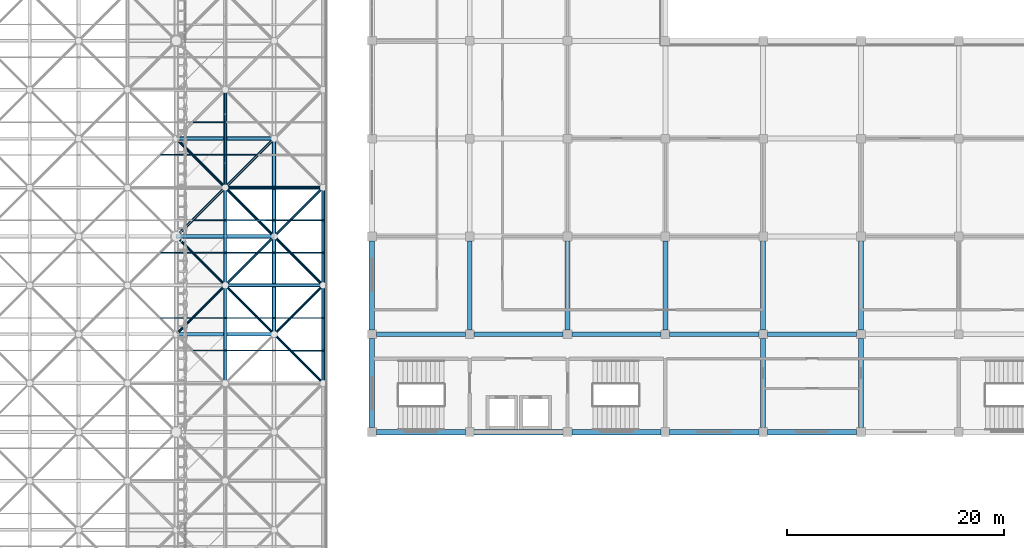
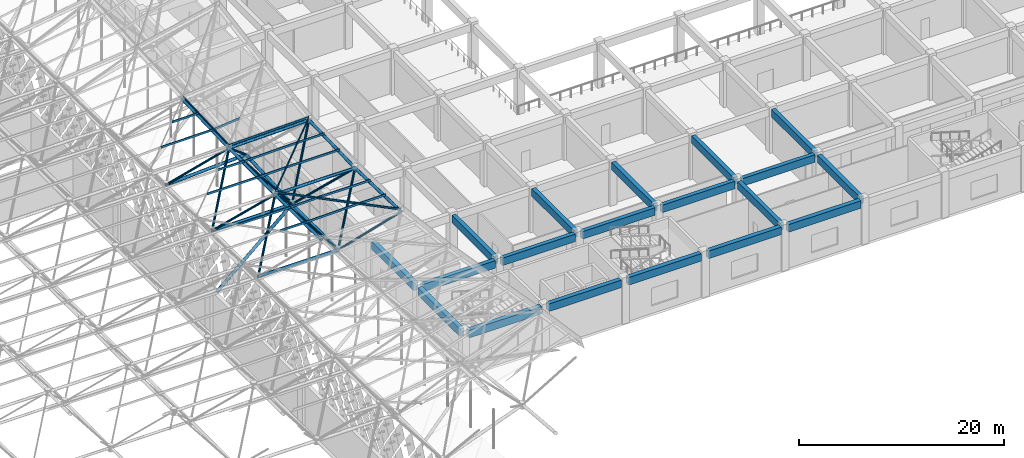
# One storey, part 198 of 437: 44 members, 19 beams.
"""IFC4 building model written with IfcOpenShell, lengths in metres."""

import ifcopenshell
import ifcopenshell.guid

model = None  # the IFC model being written
_history = None  # IfcOwnerHistory: only IFC2X3 demands one
_inside = {}  # id of a spatial element -> (the spatial element, [elements in it])
_under = {}  # id of a project, library or spatial element -> (it, [spatial elements below it])
_declared = {}  # id of a project -> (the project, [libraries it declares])
_typed = {}  # id of a type object -> (the type object, [elements of that type])
_made_of = {}  # id of a material, layer set ... -> (it, [elements and type objects made of it])


def new_model(schema):
    """Start an empty IFC model of exactly this schema.

    Asked for "IFC4X3", IfcOpenShell would pick the latest addendum, in which some entities
    have other attributes; the version numbers below select the first issue.
    IFC2X3 requires an IfcOwnerHistory on every rooted entity: one is made here for all.
    """
    global model, _history
    if schema == "IFC4X3":
        model = ifcopenshell.file(schema_version=(4, 3, 0, 0))
    else:
        model = ifcopenshell.file(schema=schema)
    _inside.clear()
    _under.clear()
    _declared.clear()
    _typed.clear()
    _made_of.clear()
    _history = None
    if model.schema == "IFC2X3":
        org = make("IfcOrganization", Name="unknown")
        user = make(
            "IfcPersonAndOrganization",
            ThePerson=make("IfcPerson", FamilyName="unknown"),
            TheOrganization=org,
        )
        app = make(
            "IfcApplication",
            ApplicationDeveloper=org,
            Version="unknown",
            ApplicationFullName="unknown",
            ApplicationIdentifier="unknown",
        )
        _history = make(
            "IfcOwnerHistory",
            OwningUser=user,
            OwningApplication=app,
            ChangeAction="ADDED",
            CreationDate=0,
        )
    return model


def make(cls, **values):
    """One entity of the class cls with the attributes given. An attribute that is None is left unset."""
    return model.create_entity(
        cls, **{name: value for name, value in values.items() if value is not None}
    )


def rooted(cls, **values):
    """An entity with a GlobalId (a new one), such as an element, a storey or a relation."""
    return make(cls, GlobalId=ifcopenshell.guid.new(), OwnerHistory=_history, **values)


def si_unit(unit_type, name, prefix=None):
    """IfcSIUnit, for example si_unit("LENGTHUNIT", "METRE", prefix="MILLI")."""
    return make("IfcSIUnit", UnitType=unit_type, Prefix=prefix, Name=name)


def assignment(units):
    """IfcUnitAssignment: the units of a project."""
    return None if units is None else make("IfcUnitAssignment", Units=units)


def point(xyz):
    """IfcCartesianPoint."""
    return None if xyz is None else make("IfcCartesianPoint", Coordinates=xyz)


def direction(xyz):
    """IfcDirection."""
    return None if xyz is None else make("IfcDirection", DirectionRatios=xyz)


def frame(location, z_axis=None, x_axis=None):
    """IfcAxis2Placement3D, a coordinate frame: its origin and axes. An axis left out is left unset."""
    return make(
        "IfcAxis2Placement3D",
        Location=point(location),
        Axis=direction(z_axis),
        RefDirection=direction(x_axis),
    )


def frame_2d(location, x_axis=None):
    """IfcAxis2Placement2D, a coordinate frame in the plane: its origin and x axis."""
    return make(
        "IfcAxis2Placement2D", Location=point(location), RefDirection=direction(x_axis)
    )


def origin():
    """The frame at (0, 0, 0) with its axes left unset."""
    return frame((0.0, 0.0, 0.0))


def origin_2d():
    """The frame at (0, 0) in the plane with its x axis left unset."""
    return frame_2d((0.0, 0.0))


def place(relative_to, where):
    """IfcLocalPlacement: puts the frame where relative to a parent placement (None: the world)."""
    return make(
        "IfcLocalPlacement", PlacementRelTo=relative_to, RelativePlacement=where
    )


def context(
    kind, dimensions, precision=None, world=None, true_north=None, identifier=None
):
    """IfcGeometricRepresentationContext, for example the 3D "Model" context."""
    return make(
        "IfcGeometricRepresentationContext",
        ContextIdentifier=identifier,
        ContextType=kind,
        CoordinateSpaceDimension=dimensions,
        Precision=precision,
        WorldCoordinateSystem=world,
        TrueNorth=true_north,
    )


def subcontext(parent, identifier, kind, view, scale=None):
    """IfcGeometricRepresentationSubContext, for example "Body" below "Model"."""
    return make(
        "IfcGeometricRepresentationSubContext",
        ContextIdentifier=identifier,
        ContextType=kind,
        ParentContext=parent,
        TargetScale=scale,
        TargetView=view,
    )


def project(units=None, contexts=None):
    """IfcProject with its units and contexts."""
    return rooted(
        "IfcProject",
        Name="project",
        RepresentationContexts=contexts,
        UnitsInContext=assignment(units),
    )


def spatial(cls, under=None, at=None, **own):
    """A site, building, storey or space (cls), placed at a placement, below another one or the project."""
    s = rooted(cls, ObjectPlacement=at, **own)
    if under is not None:
        _under.setdefault(under.id(), (under, []))[1].append(s)
    return s


def polyline(points):
    """IfcPolyline through the points."""
    return make("IfcPolyline", Points=[point(p) for p in points])


def profile(cls, at=None, kind="AREA", **sizes):
    """A parametric profile (cls). Its sizes go by their IFC names, for example OverallWidth=200.0."""
    return make(cls, ProfileType=kind, Position=at, **sizes)


def rectangle(**sizes):
    """IfcRectangleProfileDef."""
    return profile("IfcRectangleProfileDef", **sizes)


def hollow_circle(**sizes):
    """IfcCircleHollowProfileDef."""
    return profile("IfcCircleHollowProfileDef", **sizes)


def outline(outer, holes=None, kind="AREA"):
    """IfcArbitraryClosedProfileDef: a profile drawn as a closed curve; with holes, ...WithVoids."""
    if holes is None:
        return make("IfcArbitraryClosedProfileDef", ProfileType=kind, OuterCurve=outer)
    return make(
        "IfcArbitraryProfileDefWithVoids",
        ProfileType=kind,
        OuterCurve=outer,
        InnerCurves=holes,
    )


def extrude(swept, where, along, depth):
    """IfcExtrudedAreaSolid: the profile swept, set in the frame where, extruded along a direction by depth."""
    return make(
        "IfcExtrudedAreaSolid",
        SweptArea=swept,
        Position=where,
        ExtrudedDirection=direction(along),
        Depth=depth,
    )


def shape(context_of_items, identifier, shape_type, items):
    """IfcShapeRepresentation: the items that make up one representation, for example the "Body"."""
    return make(
        "IfcShapeRepresentation",
        ContextOfItems=context_of_items,
        RepresentationIdentifier=identifier,
        RepresentationType=shape_type,
        Items=items,
    )


def material(Name=None, Category=None):
    """IfcMaterial."""
    return make("IfcMaterial", Name=Name, Category=Category)


def material_profile(
    of_material, cross_section, Name=None, Category=None, Priority=None
):
    """IfcMaterialProfile: a cross section and its material."""
    return make(
        "IfcMaterialProfile",
        Name=Name,
        Material=of_material,
        Profile=cross_section,
        Priority=Priority,
        Category=Category,
    )


def profile_set(profiles, Name=None, composite=None):
    """IfcMaterialProfileSet."""
    return make(
        "IfcMaterialProfileSet",
        Name=Name,
        MaterialProfiles=profiles,
        CompositeProfile=composite,
    )


def made_of(thing, what):
    """Note that an element or type object is made of a material, layer set ...; save() writes the relation."""
    if what is not None:
        _made_of.setdefault(what.id(), (what, []))[1].append(thing)
    return thing


def type_object(cls, material=None, **own):
    """A type object (cls), such as IfcWallType, which elements share."""
    return made_of(rooted(cls, **own), material)


def element(
    cls,
    number,
    at=None,
    inside=None,
    cuts=None,
    type_object=None,
    material=None,
    context=None,
    identifier="Body",
    shape_type=None,
    held_by="IfcProductDefinitionShape",
    body=None,
    shapes=None,
    **own,
):
    """One element of the class cls, such as IfcWall. Its Tag is "e" and its number.

    at: its placement. inside: the storey or other place that contains it. cuts: it is an
    opening in that element (IfcRelVoidsElement). A single representation is given by context,
    identifier, shape_type and body (its items); several are given by shapes. held_by: the class
    of the entity that holds the representations. save() writes the other relations.
    """
    e = rooted(cls, Tag="e%d" % number, ObjectPlacement=at, **own)
    if body is not None:
        shapes = [shape(context, identifier, shape_type, body)]
    if shapes is not None:
        e.Representation = make(held_by, Representations=shapes)
    if inside is not None:
        _inside.setdefault(inside.id(), (inside, []))[1].append(e)
    if cuts is not None:
        rooted(
            "IfcRelVoidsElement", RelatingBuildingElement=cuts, RelatedOpeningElement=e
        )
    if type_object is not None:
        _typed.setdefault(type_object.id(), (type_object, []))[1].append(e)
    return made_of(e, material)


def aggregate(whole, parts):
    """IfcRelAggregates: a whole, such as a stair, and the parts it consists of."""
    return rooted("IfcRelAggregates", RelatingObject=whole, RelatedObjects=parts)


def save(model, path):
    """Write the relations noted so far, then the file.

    IfcRelAggregates (storeys below a building ...), IfcRelContainedInSpatialStructure (elements
    in a storey), IfcRelDefinesByType, IfcRelAssociatesMaterial and IfcRelDeclares: one each for
    every whole, place, type object, material and project.
    """
    for whole, parts in _under.values():
        aggregate(whole, parts)
    for where, things in _inside.values():
        rooted(
            "IfcRelContainedInSpatialStructure",
            RelatedElements=things,
            RelatingStructure=where,
        )
    for kind, things in _typed.values():
        rooted("IfcRelDefinesByType", RelatedObjects=things, RelatingType=kind)
    for what, things in _made_of.values():
        rooted("IfcRelAssociatesMaterial", RelatedObjects=things, RelatingMaterial=what)
    for by, libraries in _declared.values():
        rooted("IfcRelDeclares", RelatingContext=by, RelatedDefinitions=libraries)
    model.write(path)


model = new_model("IFC4")

# Units and contexts
model_context = context("Model", 3, precision=1e-05, world=origin(), true_north=direction((0.0, 1.0)))
body_context = subcontext(model_context, "Body", "Model", "MODEL_VIEW")
ifc_project = project(units=[si_unit("LENGTHUNIT", "METRE"), si_unit("AREAUNIT", "SQUARE_METRE"), si_unit("VOLUMEUNIT", "CUBIC_METRE"), si_unit("PLANEANGLEUNIT", "RADIAN"), si_unit("MASSUNIT", "GRAM", prefix="KILO")], contexts=[model_context])

# Site, building, storey
site_placement = place(None, origin())
site = spatial("IfcSite", under=ifc_project, at=site_placement, CompositionType="ELEMENT")
building_placement = place(site_placement, origin())
building = spatial("IfcBuilding", under=site, at=building_placement, Name="Opaline Strait Convention Centre", CompositionType="ELEMENT")
storey_placement = place(building_placement, frame((0.0, 0.0, 11.5)))
storey = spatial("IfcBuildingStorey", under=building, at=storey_placement, Name="L02", CompositionType="ELEMENT", Elevation=11.5)

# Beams
ifc_material_1 = material(Name="Concrete C35", Category="concrete")
ifc_material_profile_1 = material_profile(ifc_material_1, rectangle(XDim=0.449951171875, YDim=0.89990234375, at=origin_2d()), Name="RC 450x900")
ifc_profile_set_1 = profile_set([ifc_material_profile_1], Name="Concrete C35")
beam_type_1 = type_object("IfcBeamType", Name="RC beam 450x900 C35", PredefinedType="BEAM", material=ifc_profile_set_1)
for number, where, z_axis, x_axis, name in (
    (1, (279.39990234375, 99.0, 4.77001953125), (1.0, 0.0, 0.0), (0.0, 1.0, 0.0), "XB1 L02 32/M-33/M"),
    (2, (288.39990234375, 99.0, 4.77001953125), (1.0, 0.0, 0.0), (0.0, 1.0, 0.0), "XB1 L02 33/M-34/M"),
    (3, (297.39990234375, 99.0, 4.77001953125), (1.0, 0.0, 0.0), (0.0, 1.0, 0.0), "XB1 L02 34/M-35/M"),
    (4, (306.39990234375, 99.0, 4.77001953125), (1.0, 0.0, 0.0), (0.0, 1.0, 0.0), "XB1 L02 35/M-36/M"),
    (5, (315.39990234375, 99.0, 4.77001953125), (1.0, 0.0, 0.0), (0.0, 1.0, 0.0), "XB1 L02 36/M-37/M"),
    (6, (288.0, 99.39990234375, 4.77001953125), (0.0, 1.0, 0.0), (-1.0, 0.0, 0.0), "XB1 L02 33/M-33/N"),
    (7, (297.0, 99.39990234375, 4.77001953125), (0.0, 1.0, 0.0), (-1.0, 0.0, 0.0), "XB1 L02 34/M-34/N"),
    (8, (306.0, 99.39990234375, 4.77001953125), (0.0, 1.0, 0.0), (-1.0, 0.0, 0.0), "XB1 L02 35/M-35/N"),
    (9, (315.0, 90.39990234375, 4.77001953125), (0.0, 1.0, 0.0), (-1.0, 0.0, 0.0), "XB1 L02 36/L-36/M"),
    (10, (315.0, 99.39990234375, 4.77001953125), (0.0, 1.0, 0.0), (-1.0, 0.0, 0.0), "XB1 L02 36/M-36/N"),
    (11, (324.0, 90.39990234375, 4.77001953125), (0.0, 1.0, 0.0), (-1.0, 0.0, 0.0), "XB1 L02 37/L-37/M"),
    (12, (324.0, 99.39990234375, 4.77001953125), (0.0, 1.0, 0.0), (-1.0, 0.0, 0.0), "XB1 L02 37/M-37/N"),
):
    element("IfcBeam", number, at=place(storey_placement, frame(where, z_axis=z_axis, x_axis=x_axis)), inside=storey, type_object=beam_type_1, Name=name, PredefinedType="BEAM", context=body_context, shape_type="SweptSolid", body=[
        extrude(rectangle(XDim=0.449951171875, YDim=0.89990234375, at=origin_2d()), origin(), (0.0, 0.0, 1.0), 8.2001953125),
    ])
ifc_material_profile_2 = material_profile(ifc_material_1, rectangle(XDim=0.5, YDim=0.89990234375, at=origin_2d()), Name="RC 500x900")
ifc_profile_set_2 = profile_set([ifc_material_profile_2], Name="Concrete C35")
beam_type_2 = type_object("IfcBeamType", Name="RC edge beam 500x900 C35", PredefinedType="BEAM", material=ifc_profile_set_2)
for number, where, z_axis, x_axis, name in (
    (13, (279.39990234375, 90.0, 4.77001953125), (1.0, 0.0, 0.0), (0.0, 1.0, 0.0), "MRB2 L02 32/L-33/L"),
    (14, (288.39990234375, 90.0, 4.77001953125), (1.0, 0.0, 0.0), (0.0, 1.0, 0.0), "MRB2 L02 33/L-34/L"),
    (15, (297.39990234375, 90.0, 4.77001953125), (1.0, 0.0, 0.0), (0.0, 1.0, 0.0), "MRB2 L02 34/L-35/L"),
    (16, (306.39990234375, 90.0, 4.77001953125), (1.0, 0.0, 0.0), (0.0, 1.0, 0.0), "MRB2 L02 35/L-36/L"),
    (17, (315.39990234375, 90.0, 4.77001953125), (1.0, 0.0, 0.0), (0.0, 1.0, 0.0), "MRB2 L02 36/L-37/L"),
    (18, (279.0, 90.39990234375, 4.77001953125), (0.0, 1.0, 0.0), (-1.0, 0.0, 0.0), "MRB2 L02 32/L-32/M"),
    (19, (279.0, 99.39990234375, 4.77001953125), (0.0, 1.0, 0.0), (-1.0, 0.0, 0.0), "MRB2 L02 32/M-32/N"),
):
    element("IfcBeam", number, at=place(storey_placement, frame(where, z_axis=z_axis, x_axis=x_axis)), inside=storey, type_object=beam_type_2, Name=name, PredefinedType="BEAM", context=body_context, shape_type="SweptSolid", body=[
        extrude(rectangle(XDim=0.5, YDim=0.89990234375, at=origin_2d()), origin(), (0.0, 0.0, 1.0), 8.2001953125),
    ])

# Members
ifc_material_2 = material(Name="Steel Q355B", Category="steel")
ifc_material_profile_3 = material_profile(ifc_material_2, hollow_circle(Radius=0.175537109375, WallThickness=0.01611328125, at=origin_2d()), Name="CHS 351x16")
ifc_profile_set_3 = profile_set([ifc_material_profile_3], Name="Steel Q355B")
member_type_1 = type_object("IfcMemberType", Name="Raking prop CHS 351x16", PredefinedType="BRACE", material=ifc_profile_set_3)
member_1_placement = place(storey_placement, frame((261.51611328125, 108.0, 5.01416015625), z_axis=(0.749441071414, 0.0, 0.662071053949), x_axis=(0.0, 1.0, 0.0)))
element("IfcMember", 20, at=member_1_placement, inside=storey, type_object=member_type_1, Name="Raking prop 261/108 E", PredefinedType="BRACE", context=body_context, shape_type="SweptSolid", body=[
    extrude(hollow_circle(Radius=0.175537109375, WallThickness=0.01611328125, at=origin_2d()), origin(), (0.0, 0.0, 1.0), 11.3701171875),
])
ifc_material_profile_4 = material_profile(ifc_material_2, outline(polyline([(-0.03759765625, -0.125), (0.03759765625, -0.125), (0.03759765625, -0.10498046875), (0.034912109375, -0.10498046875), (0.034912109375, -0.12255859375), (-0.034912109375, -0.12255859375), (-0.034912109375, 0.12255859375), (0.034912109375, 0.12255859375), (0.034912109375, 0.10498046875), (0.03759765625, 0.10498046875), (0.03759765625, 0.125), (-0.03759765625, 0.125), (-0.03759765625, -0.125)])), Name="C 250x75x20x2.5")
ifc_profile_set_4 = profile_set([ifc_material_profile_4], Name="Steel Q355B")
member_type_2 = type_object("IfcMemberType", Name="Roof purlin C 250x75x20x2.5", PredefinedType="PURLIN", material=ifc_profile_set_4)
member_2_placement = place(storey_placement, frame((262.550048828125, 97.5, 18.300537109375), z_axis=(1.0, 0.0, 0.0), x_axis=(0.0, 0.999973540706, -0.007274468163)))
element("IfcMember", 21, at=member_2_placement, inside=storey, type_object=member_type_2, Name="EXB-RF-P-19-6-0a", PredefinedType="PURLIN", context=body_context, shape_type="SweptSolid", body=[
    extrude(outline(polyline([(-0.03759765625, -0.125), (0.03759765625, -0.125), (0.03759765625, -0.10498046875), (0.034912109375, -0.10498046875), (0.034912109375, -0.12255859375), (-0.034912109375, -0.12255859375), (-0.034912109375, 0.12255859375), (0.034912109375, 0.12255859375), (0.034912109375, 0.10498046875), (0.03759765625, 0.10498046875), (0.03759765625, 0.125), (-0.03759765625, 0.125), (-0.03759765625, -0.125)])), origin(), (0.0, 0.0, 1.0), 2.949951171875),
])
member_3_placement = place(storey_placement, frame((259.550048828125, 100.5, 18.27880859375), z_axis=(1.0, 0.0, 0.0), x_axis=(0.0, 0.999973540706, -0.007274468163)))
element("IfcMember", 22, at=member_3_placement, inside=storey, type_object=member_type_2, Name="EXB-RF-P-19-6-1a", PredefinedType="PURLIN", context=body_context, shape_type="SweptSolid", body=[
    extrude(outline(polyline([(-0.03759765625, -0.125), (0.03759765625, -0.125), (0.03759765625, -0.10498046875), (0.034912109375, -0.10498046875), (0.034912109375, -0.12255859375), (-0.034912109375, -0.12255859375), (-0.034912109375, 0.12255859375), (0.034912109375, 0.12255859375), (0.034912109375, 0.10498046875), (0.03759765625, 0.10498046875), (0.03759765625, 0.125), (-0.03759765625, 0.125), (-0.03759765625, -0.125)])), origin(), (0.0, 0.0, 1.0), 5.949951171875),
])
member_4_placement = place(storey_placement, frame((274.5, 94.5, 18.508544921875), z_axis=(-0.706967474347, 0.706967474347, -0.01984894032), x_axis=(-0.706940201705, -0.707208676567, -0.009562374229)))
element("IfcMember", 23, at=member_4_placement, inside=storey, type_object=member_type_2, Name="EXB-RF-F-20-6", PredefinedType="PURLIN", context=body_context, shape_type="SweptSolid", body=[
    extrude(outline(polyline([(-0.03759765625, -0.125), (0.03759765625, -0.125), (0.03759765625, -0.10498046875), (0.034912109375, -0.10498046875), (0.034912109375, -0.12255859375), (-0.034912109375, -0.12255859375), (-0.034912109375, 0.12255859375), (0.034912109375, 0.12255859375), (0.034912109375, 0.10498046875), (0.03759765625, 0.10498046875), (0.03759765625, 0.125), (-0.03759765625, 0.125), (-0.03759765625, -0.125)])), origin(), (0.0, 0.0, 1.0), 12.73046875),
])
member_5_placement = place(storey_placement, frame((271.550048828125, 97.5, 18.425537109375), z_axis=(1.0, 0.0, 0.0), x_axis=(0.0, 0.999606059758, -0.028066444278)))
element("IfcMember", 24, at=member_5_placement, inside=storey, type_object=member_type_2, Name="EXB-RF-P-20-6-0a", PredefinedType="PURLIN", context=body_context, shape_type="SweptSolid", body=[
    extrude(outline(polyline([(-0.03759765625, -0.125), (0.03759765625, -0.125), (0.03759765625, -0.10498046875), (0.034912109375, -0.10498046875), (0.034912109375, -0.12255859375), (-0.034912109375, -0.12255859375), (-0.034912109375, 0.12255859375), (0.034912109375, 0.12255859375), (0.034912109375, 0.10498046875), (0.03759765625, 0.10498046875), (0.03759765625, 0.125), (-0.03759765625, 0.125), (-0.03759765625, -0.125)])), origin(), (0.0, 0.0, 1.0), 2.949951171875),
])
member_6_placement = place(storey_placement, frame((268.550048828125, 100.5, 18.34130859375), z_axis=(1.0, 0.0, 0.0), x_axis=(0.0, 0.999606059758, -0.028066444278)))
element("IfcMember", 25, at=member_6_placement, inside=storey, type_object=member_type_2, Name="EXB-RF-P-20-6-1a", PredefinedType="PURLIN", context=body_context, shape_type="SweptSolid", body=[
    extrude(outline(polyline([(-0.03759765625, -0.125), (0.03759765625, -0.125), (0.03759765625, -0.10498046875), (0.034912109375, -0.10498046875), (0.034912109375, -0.12255859375), (-0.034912109375, -0.12255859375), (-0.034912109375, 0.12255859375), (0.034912109375, 0.12255859375), (0.034912109375, 0.10498046875), (0.03759765625, 0.10498046875), (0.03759765625, 0.125), (-0.03759765625, 0.125), (-0.03759765625, -0.125)])), origin(), (0.0, 0.0, 1.0), 5.949951171875),
])
member_7_placement = place(storey_placement, frame((265.5, 97.5, 18.30078125), z_axis=(0.999783679197, 0.0, 0.020798913682), x_axis=(0.000151301035, 0.999973540706, -0.007272894544)))
element("IfcMember", 26, at=member_7_placement, inside=storey, type_object=member_type_2, Name="EXB-RF-P-20-6-0b", PredefinedType="PURLIN", context=body_context, shape_type="SweptSolid", body=[
    extrude(outline(polyline([(-0.03759765625, -0.125), (0.03759765625, -0.125), (0.03759765625, -0.10498046875), (0.034912109375, -0.10498046875), (0.034912109375, -0.12255859375), (-0.034912109375, -0.12255859375), (-0.034912109375, 0.12255859375), (0.034912109375, 0.12255859375), (0.034912109375, 0.10498046875), (0.03759765625, 0.10498046875), (0.03759765625, 0.125), (-0.03759765625, 0.125), (-0.03759765625, -0.125)])), origin(), (0.0, 0.0, 1.0), 5.951171875),
])
member_8_placement = place(storey_placement, frame((265.5, 100.5, 18.27880859375), z_axis=(0.999782589814, 0.0, 0.020851213493), x_axis=(0.000151681489, 0.999973540706, -0.007272886619)))
element("IfcMember", 27, at=member_8_placement, inside=storey, type_object=member_type_2, Name="EXB-RF-P-20-6-1b", PredefinedType="PURLIN", context=body_context, shape_type="SweptSolid", body=[
    extrude(outline(polyline([(-0.03759765625, -0.125), (0.03759765625, -0.125), (0.03759765625, -0.10498046875), (0.034912109375, -0.10498046875), (0.034912109375, -0.12255859375), (-0.034912109375, -0.12255859375), (-0.034912109375, 0.12255859375), (0.034912109375, 0.12255859375), (0.034912109375, 0.10498046875), (0.03759765625, 0.10498046875), (0.03759765625, 0.125), (-0.03759765625, 0.125), (-0.03759765625, -0.125)])), origin(), (0.0, 0.0, 1.0), 2.95068359375),
])
member_9_placement = place(storey_placement, frame((259.550048828125, 106.5, 18.27880859375), z_axis=(1.0, 0.0, 0.0), x_axis=(0.0, 0.999973540706, 0.007274468163)))
element("IfcMember", 28, at=member_9_placement, inside=storey, type_object=member_type_2, Name="EXB-RF-P-19-7-0a", PredefinedType="PURLIN", context=body_context, shape_type="SweptSolid", body=[
    extrude(outline(polyline([(-0.03759765625, -0.125), (0.03759765625, -0.125), (0.03759765625, -0.10498046875), (0.034912109375, -0.10498046875), (0.034912109375, -0.12255859375), (-0.034912109375, -0.12255859375), (-0.034912109375, 0.12255859375), (0.034912109375, 0.12255859375), (0.034912109375, 0.10498046875), (0.03759765625, 0.10498046875), (0.03759765625, 0.125), (-0.03759765625, 0.125), (-0.03759765625, -0.125)])), origin(), (0.0, 0.0, 1.0), 5.949951171875),
])
member_10_placement = place(storey_placement, frame((262.550048828125, 109.5, 18.300537109375), z_axis=(1.0, 0.0, 0.0), x_axis=(0.0, 0.999973540706, 0.007274468163)))
element("IfcMember", 29, at=member_10_placement, inside=storey, type_object=member_type_2, Name="EXB-RF-P-19-7-1a", PredefinedType="PURLIN", context=body_context, shape_type="SweptSolid", body=[
    extrude(outline(polyline([(-0.03759765625, -0.125), (0.03759765625, -0.125), (0.03759765625, -0.10498046875), (0.034912109375, -0.10498046875), (0.034912109375, -0.12255859375), (-0.034912109375, -0.12255859375), (-0.034912109375, 0.12255859375), (0.034912109375, 0.12255859375), (0.034912109375, 0.10498046875), (0.03759765625, 0.10498046875), (0.03759765625, 0.125), (-0.03759765625, 0.125), (-0.03759765625, -0.125)])), origin(), (0.0, 0.0, 1.0), 2.949951171875),
])
member_11_placement = place(storey_placement, frame((265.5, 103.5, 18.255859375), z_axis=(0.706967474347, 0.706967474347, 0.01984894032), x_axis=(-0.706940201705, 0.707208676567, -0.009562374229)))
element("IfcMember", 30, at=member_11_placement, inside=storey, type_object=member_type_2, Name="EXB-RF-F-20-7", PredefinedType="PURLIN", context=body_context, shape_type="SweptSolid", body=[
    extrude(outline(polyline([(-0.03759765625, -0.125), (0.03759765625, -0.125), (0.03759765625, -0.10498046875), (0.034912109375, -0.10498046875), (0.034912109375, -0.12255859375), (-0.034912109375, -0.12255859375), (-0.034912109375, 0.12255859375), (0.034912109375, 0.12255859375), (0.034912109375, 0.10498046875), (0.03759765625, 0.10498046875), (0.03759765625, 0.125), (-0.03759765625, 0.125), (-0.03759765625, -0.125)])), origin(), (0.0, 0.0, 1.0), 12.73046875),
])
member_12_placement = place(storey_placement, frame((268.550048828125, 106.5, 18.34130859375), z_axis=(1.0, 0.0, 0.0), x_axis=(0.0, 0.999606059758, 0.028066444278)))
element("IfcMember", 31, at=member_12_placement, inside=storey, type_object=member_type_2, Name="EXB-RF-P-20-7-0a", PredefinedType="PURLIN", context=body_context, shape_type="SweptSolid", body=[
    extrude(outline(polyline([(-0.03759765625, -0.125), (0.03759765625, -0.125), (0.03759765625, -0.10498046875), (0.034912109375, -0.10498046875), (0.034912109375, -0.12255859375), (-0.034912109375, -0.12255859375), (-0.034912109375, 0.12255859375), (0.034912109375, 0.12255859375), (0.034912109375, 0.10498046875), (0.03759765625, 0.10498046875), (0.03759765625, 0.125), (-0.03759765625, 0.125), (-0.03759765625, -0.125)])), origin(), (0.0, 0.0, 1.0), 5.949951171875),
])
member_13_placement = place(storey_placement, frame((271.550048828125, 109.5, 18.425537109375), z_axis=(1.0, 0.0, 0.0), x_axis=(0.0, 0.999606059758, 0.028066444278)))
element("IfcMember", 32, at=member_13_placement, inside=storey, type_object=member_type_2, Name="EXB-RF-P-20-7-1a", PredefinedType="PURLIN", context=body_context, shape_type="SweptSolid", body=[
    extrude(outline(polyline([(-0.03759765625, -0.125), (0.03759765625, -0.125), (0.03759765625, -0.10498046875), (0.034912109375, -0.10498046875), (0.034912109375, -0.12255859375), (-0.034912109375, -0.12255859375), (-0.034912109375, 0.12255859375), (0.034912109375, 0.12255859375), (0.034912109375, 0.10498046875), (0.03759765625, 0.10498046875), (0.03759765625, 0.125), (-0.03759765625, 0.125), (-0.03759765625, -0.125)])), origin(), (0.0, 0.0, 1.0), 2.949951171875),
])
member_14_placement = place(storey_placement, frame((265.5, 106.5, 18.27880859375), z_axis=(0.999782589814, 0.0, 0.020851213493), x_axis=(-0.000151681489, 0.999973540706, 0.007272886619)))
element("IfcMember", 33, at=member_14_placement, inside=storey, type_object=member_type_2, Name="EXB-RF-P-20-7-0b", PredefinedType="PURLIN", context=body_context, shape_type="SweptSolid", body=[
    extrude(outline(polyline([(-0.03759765625, -0.125), (0.03759765625, -0.125), (0.03759765625, -0.10498046875), (0.034912109375, -0.10498046875), (0.034912109375, -0.12255859375), (-0.034912109375, -0.12255859375), (-0.034912109375, 0.12255859375), (0.034912109375, 0.12255859375), (0.034912109375, 0.10498046875), (0.03759765625, 0.10498046875), (0.03759765625, 0.125), (-0.03759765625, 0.125), (-0.03759765625, -0.125)])), origin(), (0.0, 0.0, 1.0), 2.95068359375),
])
member_15_placement = place(storey_placement, frame((265.5, 109.5, 18.30078125), z_axis=(0.999783679197, 0.0, 0.020798913682), x_axis=(-0.000151301035, 0.999973540706, 0.007272894544)))
element("IfcMember", 34, at=member_15_placement, inside=storey, type_object=member_type_2, Name="EXB-RF-P-20-7-1b", PredefinedType="PURLIN", context=body_context, shape_type="SweptSolid", body=[
    extrude(outline(polyline([(-0.03759765625, -0.125), (0.03759765625, -0.125), (0.03759765625, -0.10498046875), (0.034912109375, -0.10498046875), (0.034912109375, -0.12255859375), (-0.034912109375, -0.12255859375), (-0.034912109375, 0.12255859375), (0.034912109375, 0.12255859375), (0.034912109375, 0.10498046875), (0.03759765625, 0.10498046875), (0.03759765625, 0.125), (-0.03759765625, 0.125), (-0.03759765625, -0.125)])), origin(), (0.0, 0.0, 1.0), 5.951171875),
])
member_16_placement = place(storey_placement, frame((259.550048828125, 115.5, 18.391357421875), z_axis=(0.999973627418, 0.0, 0.007262538757), x_axis=(-0.000271269093, 0.999302177023, 0.037350842157)))
element("IfcMember", 35, at=member_16_placement, inside=storey, type_object=member_type_2, Name="EXB-RF-P-19-8-0a", PredefinedType="PURLIN", context=body_context, shape_type="SweptSolid", body=[
    extrude(outline(polyline([(-0.03759765625, -0.125), (0.03759765625, -0.125), (0.03759765625, -0.10498046875), (0.034912109375, -0.10498046875), (0.034912109375, -0.12255859375), (-0.034912109375, -0.12255859375), (-0.034912109375, 0.12255859375), (0.034912109375, 0.12255859375), (0.034912109375, 0.10498046875), (0.03759765625, 0.10498046875), (0.03759765625, 0.125), (-0.03759765625, 0.125), (-0.03759765625, -0.125)])), origin(), (0.0, 0.0, 1.0), 5.9501953125),
])
member_17_placement = place(storey_placement, frame((262.550048828125, 118.5, 18.525390625), z_axis=(0.999973480305, 0.0, 0.007282766388), x_axis=(-0.000272024632, 0.999302177023, 0.037350836662)))
element("IfcMember", 36, at=member_17_placement, inside=storey, type_object=member_type_2, Name="EXB-RF-P-19-8-1a", PredefinedType="PURLIN", context=body_context, shape_type="SweptSolid", body=[
    extrude(outline(polyline([(-0.03759765625, -0.125), (0.03759765625, -0.125), (0.03759765625, -0.10498046875), (0.034912109375, -0.10498046875), (0.034912109375, -0.12255859375), (-0.034912109375, -0.12255859375), (-0.034912109375, 0.12255859375), (0.034912109375, 0.12255859375), (0.034912109375, 0.10498046875), (0.03759765625, 0.10498046875), (0.03759765625, 0.125), (-0.03759765625, 0.125), (-0.03759765625, -0.125)])), origin(), (0.0, 0.0, 1.0), 2.949951171875),
])
member_18_placement = place(storey_placement, frame((265.449951171875, 112.554443359375, 18.328369140625), z_axis=(0.999783916988, 0.0, 0.020787480165), x_axis=(-0.002492335547, 0.992786458004, 0.119870084123)))
element("IfcMember", 37, at=member_18_placement, inside=storey, type_object=member_type_2, Name="EXB-RF-E-20-8a", PredefinedType="PURLIN", context=body_context, shape_type="SweptSolid", body=[
    extrude(outline(polyline([(-0.03759765625, -0.125), (0.03759765625, -0.125), (0.03759765625, -0.10498046875), (0.034912109375, -0.10498046875), (0.034912109375, -0.12255859375), (-0.034912109375, -0.12255859375), (-0.034912109375, 0.12255859375), (0.034912109375, 0.12255859375), (0.034912109375, 0.10498046875), (0.03759765625, 0.10498046875), (0.03759765625, 0.125), (-0.03759765625, 0.125), (-0.03759765625, -0.125)])), origin(), (0.0, 0.0, 1.0), 9.10205078125),
])
member_19_placement = place(storey_placement, frame((265.552490234375, 112.449951171875, 18.32666015625), z_axis=(0.0, 0.999301400504, 0.037372596241), x_axis=(-0.994620331005, 0.003871338683, -0.103515264032)))
element("IfcMember", 38, at=member_19_placement, inside=storey, type_object=member_type_2, Name="EXB-RF-E-20-8b", PredefinedType="PURLIN", context=body_context, shape_type="SweptSolid", body=[
    extrude(outline(polyline([(-0.03759765625, -0.125), (0.03759765625, -0.125), (0.03759765625, -0.10498046875), (0.034912109375, -0.10498046875), (0.034912109375, -0.12255859375), (-0.034912109375, -0.12255859375), (-0.034912109375, 0.12255859375), (0.034912109375, 0.12255859375), (0.034912109375, 0.10498046875), (0.03759765625, 0.10498046875), (0.03759765625, 0.125), (-0.03759765625, 0.125), (-0.03759765625, -0.125)])), origin(), (0.0, 0.0, 1.0), 9.1064453125),
])
member_20_placement = place(storey_placement, frame((265.5869140625, 115.5, 18.4443359375), z_axis=(0.994614584479, 0.0, 0.103642792038), x_axis=(-0.003871247661, 0.999302177023, 0.037150672111)))
element("IfcMember", 39, at=member_20_placement, inside=storey, type_object=member_type_2, Name="EXB-RF-P-20-8-0b", PredefinedType="PURLIN", context=body_context, shape_type="SweptSolid", body=[
    extrude(outline(polyline([(-0.03759765625, -0.125), (0.03759765625, -0.125), (0.03759765625, -0.10498046875), (0.034912109375, -0.10498046875), (0.034912109375, -0.12255859375), (-0.034912109375, -0.12255859375), (-0.034912109375, 0.12255859375), (0.034912109375, 0.12255859375), (0.034912109375, 0.10498046875), (0.03759765625, 0.10498046875), (0.03759765625, 0.125), (-0.03759765625, 0.125), (-0.03759765625, -0.125)])), origin(), (0.0, 0.0, 1.0), 2.87841796875),
])
ifc_material_profile_5 = material_profile(ifc_material_2, hollow_circle(Radius=0.175537109375, WallThickness=0.01611328125, at=origin_2d()), Name="CHS 351x16")
ifc_profile_set_5 = profile_set([ifc_material_profile_5], Name="Steel Q355B")
member_type_3 = type_object("IfcMemberType", Name="Space frame bottom chord CHS 351x16", PredefinedType="CHORD", material=ifc_profile_set_5)
for number, where, z_axis, x_axis, name in (
    (40, (260.949951171875, 99.0, 12.5), (0.999999507324, 0.0, 0.000992648542), (0.0, 1.0, 0.0), "EXB-RF-BX-19-6"),
    (41, (260.949951171875, 108.0, 12.5), (0.999999507324, 0.0, 0.000992648542), (0.0, 1.0, 0.0), "EXB-RF-BX-19-7"),
):
    element("IfcMember", number, at=place(storey_placement, frame(where, z_axis=z_axis, x_axis=x_axis)), inside=storey, type_object=member_type_3, Name=name, PredefinedType="CHORD", context=body_context, shape_type="SweptSolid", body=[
        extrude(hollow_circle(Radius=0.175537109375, WallThickness=0.01611328125, at=origin_2d()), origin(), (0.0, 0.0, 1.0), 9.10009765625),
    ])
member_21_placement = place(storey_placement, frame((260.949951171875, 117.0, 12.49755859375), z_axis=(0.998700632728, 0.0, 0.050961222392), x_axis=(0.0, 1.0, 0.0)))
element("IfcMember", 42, at=member_21_placement, inside=storey, type_object=member_type_3, Name="EXB-RF-BX-19-8", PredefinedType="CHORD", context=body_context, shape_type="SweptSolid", body=[
    extrude(hollow_circle(Radius=0.175537109375, WallThickness=0.01611328125, at=origin_2d()), origin(), (0.0, 0.0, 1.0), 9.11181640625),
])
member_22_placement = place(storey_placement, frame((270.0, 98.949951171875, 12.509033203125), z_axis=(0.0, 1.0, 0.0), x_axis=(-1.0, 0.0, 0.0)))
element("IfcMember", 43, at=member_22_placement, inside=storey, type_object=member_type_3, Name="EXB-RF-BY-20-6", PredefinedType="CHORD", context=body_context, shape_type="SweptSolid", body=[
    extrude(hollow_circle(Radius=0.175537109375, WallThickness=0.01611328125, at=origin_2d()), origin(), (0.0, 0.0, 1.0), 9.10009765625),
])
member_23_placement = place(storey_placement, frame((270.0, 107.949951171875, 12.50634765625), z_axis=(0.0, 0.998749263269, 0.049999091197), x_axis=(-1.0, 0.0, 0.0)))
element("IfcMember", 44, at=member_23_placement, inside=storey, type_object=member_type_3, Name="EXB-RF-BY-20-7", PredefinedType="CHORD", context=body_context, shape_type="SweptSolid", body=[
    extrude(hollow_circle(Radius=0.175537109375, WallThickness=0.01611328125, at=origin_2d()), origin(), (0.0, 0.0, 1.0), 9.111572265625),
])
ifc_material_profile_6 = material_profile(ifc_material_2, hollow_circle(Radius=0.16259765625, WallThickness=0.013916015625, at=origin_2d()), Name="CHS 325x14")
ifc_profile_set_6 = profile_set([ifc_material_profile_6], Name="Steel Q355B")
member_type_4 = type_object("IfcMemberType", Name="Space frame top chord CHS 325x14", PredefinedType="CHORD", material=ifc_profile_set_6)
member_24_placement = place(storey_placement, frame((274.5, 94.449951171875, 18.2255859375), z_axis=(0.0, 0.999606481677, -0.028051413313), x_axis=(-1.0, 0.0, 0.0)))
element("IfcMember", 45, at=member_24_placement, inside=storey, type_object=member_type_4, Name="EXB-RF-TY-21-6", PredefinedType="CHORD", context=body_context, shape_type="SweptSolid", body=[
    extrude(hollow_circle(Radius=0.16259765625, WallThickness=0.013916015625, at=origin_2d()), origin(), (0.0, 0.0, 1.0), 9.103759765625),
])
ifc_material_profile_7 = material_profile(ifc_material_2, hollow_circle(Radius=0.16259765625, WallThickness=0.02001953125, at=origin_2d()), Name="CHS 325x20")
ifc_profile_set_7 = profile_set([ifc_material_profile_7], Name="Steel Q355B")
member_type_5 = type_object("IfcMemberType", Name="Space frame top chord CHS 325x20", PredefinedType="CHORD", material=ifc_profile_set_7)
member_25_placement = place(storey_placement, frame((265.449951171875, 103.5, 17.971435546875), z_axis=(1.0, 0.0, 0.0), x_axis=(0.0, 1.0, 0.0)))
element("IfcMember", 46, at=member_25_placement, inside=storey, type_object=member_type_5, Name="EXB-RF-TX-20-7", PredefinedType="CHORD", context=body_context, shape_type="SweptSolid", body=[
    extrude(hollow_circle(Radius=0.16259765625, WallThickness=0.02001953125, at=origin_2d()), origin(), (0.0, 0.0, 1.0), 9.10009765625),
])
member_26_placement = place(storey_placement, frame((265.449951171875, 112.5, 18.035888671875), z_axis=(0.999783359176, 0.0, 0.020814291107), x_axis=(0.0, 1.0, 0.0)))
element("IfcMember", 47, at=member_26_placement, inside=storey, type_object=member_type_5, Name="EXB-RF-TX-20-8", PredefinedType="CHORD", context=body_context, shape_type="SweptSolid", body=[
    extrude(hollow_circle(Radius=0.16259765625, WallThickness=0.02001953125, at=origin_2d()), origin(), (0.0, 0.0, 1.0), 9.10205078125),
])
for number, where, z_axis, x_axis, name in (
    (48, (265.5, 94.449951171875, 18.037353515625), (0.0, 0.999973571083, -0.007270291296), (-1.0, 0.0, 0.0), "EXB-RF-TY-20-6"),
    (49, (265.5, 103.449951171875, 17.97119140625), (0.0, 0.999973571083, 0.007270291296), (-1.0, 0.0, 0.0), "EXB-RF-TY-20-7"),
):
    element("IfcMember", number, at=place(storey_placement, frame(where, z_axis=z_axis, x_axis=x_axis)), inside=storey, type_object=member_type_5, Name=name, PredefinedType="CHORD", context=body_context, shape_type="SweptSolid", body=[
        extrude(hollow_circle(Radius=0.16259765625, WallThickness=0.02001953125, at=origin_2d()), origin(), (0.0, 0.0, 1.0), 9.100341796875),
    ])
member_27_placement = place(storey_placement, frame((265.5, 112.449951171875, 18.03515625), z_axis=(0.0, 0.999302401392, 0.037345824037), x_axis=(-1.0, 0.0, 0.0)))
element("IfcMember", 50, at=member_27_placement, inside=storey, type_object=member_type_5, Name="EXB-RF-TY-20-8", PredefinedType="CHORD", context=body_context, shape_type="SweptSolid", body=[
    extrude(hollow_circle(Radius=0.16259765625, WallThickness=0.02001953125, at=origin_2d()), origin(), (0.0, 0.0, 1.0), 9.1064453125),
])
member_28_placement = place(storey_placement, frame((274.5, 103.449951171875, 17.97021484375), z_axis=(0.0, 0.999606481677, 0.028051413313), x_axis=(-1.0, 0.0, 0.0)))
element("IfcMember", 51, at=member_28_placement, inside=storey, type_object=member_type_5, Name="EXB-RF-TY-21-7", PredefinedType="CHORD", context=body_context, shape_type="SweptSolid", body=[
    extrude(hollow_circle(Radius=0.16259765625, WallThickness=0.02001953125, at=origin_2d()), origin(), (0.0, 0.0, 1.0), 9.103759765625),
])
ifc_material_profile_8 = material_profile(ifc_material_2, hollow_circle(Radius=0.12255859375, WallThickness=0.011962890625, at=origin_2d()), Name="CHS 245x12")
ifc_profile_set_8 = profile_set([ifc_material_profile_8], Name="Steel Q355B")
member_type_6 = type_object("IfcMemberType", Name="Space frame web CHS 245x12", PredefinedType="BRACE", material=ifc_profile_set_8)
for number, where, z_axis, x_axis, name in (
    (52, (265.52685546875, 103.52685546875, 18.004150390625), (-0.536178220346, -0.536178220346, -0.6519400525), (0.707106781187, -0.707106781187, 0.0), "EXB-RF-W-19-6-11"),
    (53, (265.52685546875, 103.47314453125, 18.004150390625), (-0.536178220346, 0.536178220346, -0.6519400525), (-0.707106781187, -0.707106781187, 0.0), "EXB-RF-W-19-7-10"),
):
    element("IfcMember", number, at=place(storey_placement, frame(where, z_axis=z_axis, x_axis=x_axis)), inside=storey, type_object=member_type_6, Name=name, PredefinedType="BRACE", context=body_context, shape_type="SweptSolid", body=[
        extrude(hollow_circle(Radius=0.12255859375, WallThickness=0.011962890625, at=origin_2d()), origin(), (0.0, 0.0, 1.0), 8.492919921875),
    ])
for number, where, z_axis, x_axis, name in (
    (54, (265.526611328125, 112.526611328125, 18.06982421875), (-0.533455011951, -0.533455011951, -0.65639279433), (0.707106781187, -0.707106781187, 0.0), "EXB-RF-W-19-7-11"),
    (55, (265.526611328125, 112.473388671875, 18.06982421875), (-0.533455011951, 0.533455011951, -0.65639279433), (-0.707106781187, -0.707106781187, 0.0), "EXB-RF-W-19-8-10"),
):
    element("IfcMember", number, at=place(storey_placement, frame(where, z_axis=z_axis, x_axis=x_axis)), inside=storey, type_object=member_type_6, Name=name, PredefinedType="BRACE", context=body_context, shape_type="SweptSolid", body=[
        extrude(hollow_circle(Radius=0.12255859375, WallThickness=0.011962890625, at=origin_2d()), origin(), (0.0, 0.0, 1.0), 8.535400390625),
    ])
member_29_placement = place(storey_placement, frame((265.47314453125, 103.52685546875, 18.004150390625), z_axis=(0.536550097538, -0.536550097538, -0.651327863417), x_axis=(0.707106781187, 0.707106781187, 0.0)))
element("IfcMember", 56, at=member_29_placement, inside=storey, type_object=member_type_6, Name="EXB-RF-W-20-6-01", PredefinedType="BRACE", context=body_context, shape_type="SweptSolid", body=[
    extrude(hollow_circle(Radius=0.12255859375, WallThickness=0.011962890625, at=origin_2d()), origin(), (0.0, 0.0, 1.0), 8.487060546875),
])
member_30_placement = place(storey_placement, frame((274.5263671875, 94.4736328125, 18.257568359375), z_axis=(-0.526104118991, 0.526104118991, -0.668153359613), x_axis=(-0.707106781187, -0.707106781187, 0.0)))
element("IfcMember", 57, at=member_30_placement, inside=storey, type_object=member_type_6, Name="EXB-RF-W-20-6-10", PredefinedType="BRACE", context=body_context, shape_type="SweptSolid", body=[
    extrude(hollow_circle(Radius=0.12255859375, WallThickness=0.011962890625, at=origin_2d()), origin(), (0.0, 0.0, 1.0), 8.653564453125),
])
for number, where, z_axis, x_axis, name in (
    (58, (274.52685546875, 103.52685546875, 18.004150390625), (-0.536550097538, -0.536550097538, -0.651327863417), (0.707106781187, -0.707106781187, 0.0), "EXB-RF-W-20-6-11"),
    (59, (265.47314453125, 103.47314453125, 18.004150390625), (0.536550097538, 0.536550097538, -0.651327863417), (-0.707106781187, 0.707106781187, 0.0), "EXB-RF-W-20-7-00"),
):
    element("IfcMember", number, at=place(storey_placement, frame(where, z_axis=z_axis, x_axis=x_axis)), inside=storey, type_object=member_type_6, Name=name, PredefinedType="BRACE", context=body_context, shape_type="SweptSolid", body=[
        extrude(hollow_circle(Radius=0.12255859375, WallThickness=0.011962890625, at=origin_2d()), origin(), (0.0, 0.0, 1.0), 8.487060546875),
    ])
member_31_placement = place(storey_placement, frame((265.473388671875, 112.526611328125, 18.06982421875), z_axis=(0.533815659116, -0.533815659116, -0.655806133065), x_axis=(0.707106781187, 0.707106781187, 0.0)))
element("IfcMember", 60, at=member_31_placement, inside=storey, type_object=member_type_6, Name="EXB-RF-W-20-7-01", PredefinedType="BRACE", context=body_context, shape_type="SweptSolid", body=[
    extrude(hollow_circle(Radius=0.12255859375, WallThickness=0.011962890625, at=origin_2d()), origin(), (0.0, 0.0, 1.0), 8.529541015625),
])
member_32_placement = place(storey_placement, frame((274.52685546875, 103.47314453125, 18.004150390625), z_axis=(-0.536550097538, 0.536550097538, -0.651327863417), x_axis=(-0.707106781187, -0.707106781187, 0.0)))
element("IfcMember", 61, at=member_32_placement, inside=storey, type_object=member_type_6, Name="EXB-RF-W-20-7-10", PredefinedType="BRACE", context=body_context, shape_type="SweptSolid", body=[
    extrude(hollow_circle(Radius=0.12255859375, WallThickness=0.011962890625, at=origin_2d()), origin(), (0.0, 0.0, 1.0), 8.487060546875),
])
member_33_placement = place(storey_placement, frame((274.5263671875, 112.5263671875, 18.257568359375), z_axis=(-0.526104118991, -0.526104118991, -0.668153359613), x_axis=(0.707106781187, -0.707106781187, 0.0)))
element("IfcMember", 62, at=member_33_placement, inside=storey, type_object=member_type_6, Name="EXB-RF-W-20-7-11", PredefinedType="BRACE", context=body_context, shape_type="SweptSolid", body=[
    extrude(hollow_circle(Radius=0.12255859375, WallThickness=0.011962890625, at=origin_2d()), origin(), (0.0, 0.0, 1.0), 8.653564453125),
])
member_34_placement = place(storey_placement, frame((265.472412109375, 112.472412109375, 18.068115234375), z_axis=(0.552730589909, 0.552730589909, -0.623680839819), x_axis=(-0.707106781187, 0.707106781187, 0.0)))
element("IfcMember", 63, at=member_34_placement, inside=storey, type_object=member_type_6, Name="EXB-RF-W-20-8-00", PredefinedType="BRACE", context=body_context, shape_type="SweptSolid", body=[
    extrude(hollow_circle(Radius=0.12255859375, WallThickness=0.011962890625, at=origin_2d()), origin(), (0.0, 0.0, 1.0), 8.2412109375),
])

save(model, "model.ifc")
